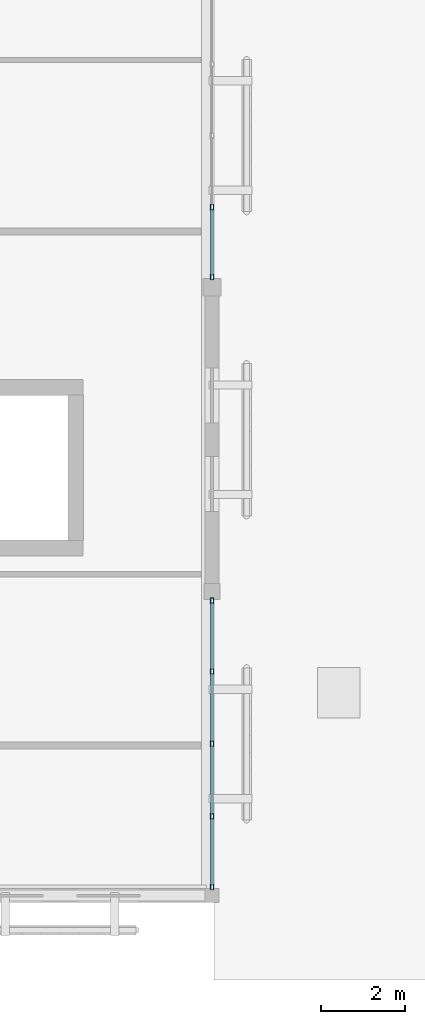
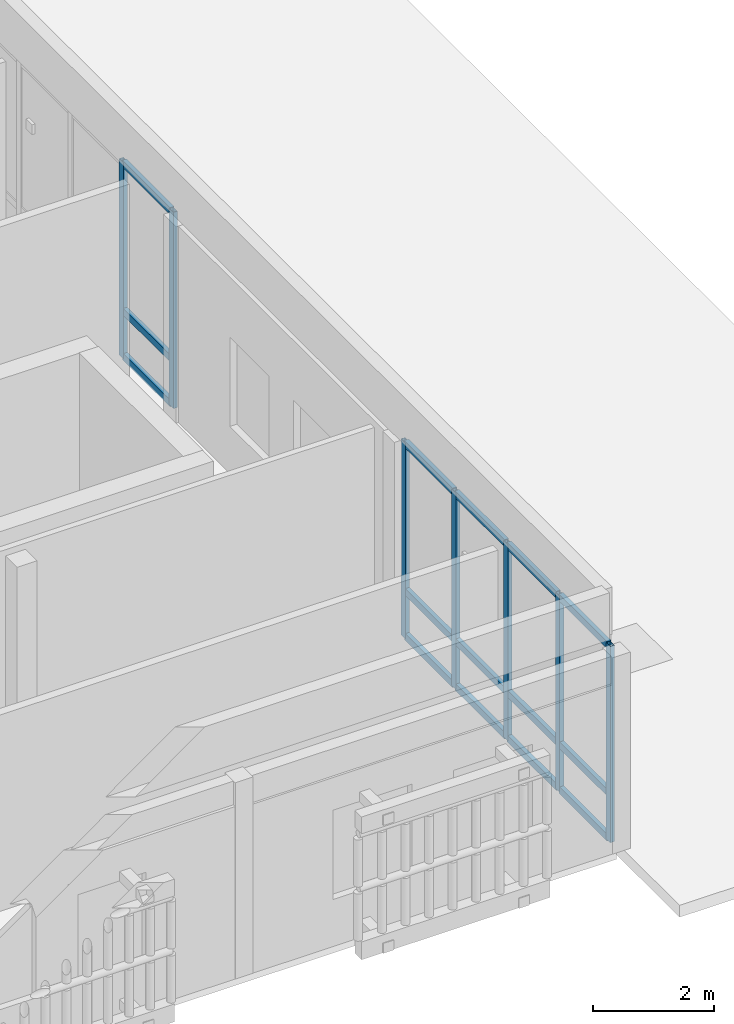
# One storey, part 2 of 11: 22 members, 2 elements without a shape of their own.
"""IFC4 building model written with IfcOpenShell, lengths in metres."""

from ifc_helpers import new_model, si_unit, direction, frame, origin, origin_2d, place, context, subcontext, project, spatial, hollow_rectangle, extrude, material, layer, layer_set, material_profile, profile_set, type_object, element, aggregate, save


model = new_model("IFC4")

# Units and contexts
model_context = context("Model", 3, precision=1e-05, world=origin(), true_north=direction((0.0, 1.0)))
body_context = subcontext(model_context, "Body", "Model", "MODEL_VIEW")
ifc_project = project(units=[si_unit("LENGTHUNIT", "METRE"), si_unit("AREAUNIT", "SQUARE_METRE"), si_unit("VOLUMEUNIT", "CUBIC_METRE"), si_unit("PLANEANGLEUNIT", "RADIAN"), si_unit("MASSUNIT", "GRAM", prefix="KILO")], contexts=[model_context])

# Site, building, storey
site_placement = place(None, origin())
site = spatial("IfcSite", under=ifc_project, at=site_placement, CompositionType="ELEMENT")
building_placement = place(site_placement, origin())
building = spatial("IfcBuilding", under=site, at=building_placement, Name="Mazaris Harbour Polytechnic", CompositionType="ELEMENT")
storey_placement = place(building_placement, frame((0.0, 0.0, 22.199951171875)))
storey = spatial("IfcBuildingStorey", under=building, at=storey_placement, Name="L05", CompositionType="ELEMENT", Elevation=22.199951171875)

# Curtain wall, members
ifc_material_1 = material(Name="Anodised Bronze Aluminium and Low-E Glass", Category="aluminium")
ifc_layer = layer(ifc_material_1, 0.159912109375, Name="Anodised Bronze Aluminium and Low-E Glass")
ifc_layer_set = layer_set([ifc_layer], Name="Anodised Bronze Aluminium and Low-E Glass")
curtain_wall_type = type_object("IfcCurtainWallType", Name="Cloister Court Curtain Wall", PredefinedType="NOTDEFINED", material=ifc_layer_set)
curtain_wall_1_placement = place(storey_placement, origin())
curtain_wall_1 = element("IfcCurtainWall", 1, at=curtain_wall_1_placement, inside=storey, type_object=curtain_wall_type, Name="V4 L05 Curtain Wall 179", PredefinedType="NOTDEFINED")
ifc_material_2 = material(Name="Anodised Bronze Steel S355", Category="steel")
ifc_material_profile_1 = material_profile(ifc_material_2, hollow_rectangle(XDim=0.080078125, YDim=0.139892578125, WallThickness=0.00634765625, at=origin_2d()), Name="RHS 80x140x6.3")
ifc_profile_set_1 = profile_set([ifc_material_profile_1], Name="Anodised Bronze Steel S355")
member_type_1 = type_object("IfcMemberType", Name="Curtain Mullion RHS80x140", PredefinedType="MULLION", material=ifc_profile_set_1)
member_1_placement = place(storey_placement, frame((36.0, 14.177978515625, 0.0), z_axis=(0.0, 0.0, 1.0), x_axis=(1.0, 0.0, 0.0)))
member_1 = element("IfcMember", 2, at=member_1_placement, type_object=member_type_1, Name="CW-02 mullion 1", PredefinedType="MULLION", context=body_context, shape_type="SweptSolid", body=[
    extrude(hollow_rectangle(XDim=0.080078125, YDim=0.139892578125, WallThickness=0.00634765625, at=origin_2d()), origin(), (0.0, 0.0, 1.0), 3.9599609375),
])
member_2_placement = place(storey_placement, frame((36.0, 12.50390625, 0.0), z_axis=(0.0, 0.0, 1.0), x_axis=(1.0, 0.0, 0.0)))
member_2 = element("IfcMember", 3, at=member_2_placement, type_object=member_type_1, Name="CW-02 mullion 2", PredefinedType="MULLION", context=body_context, shape_type="SweptSolid", body=[
    extrude(hollow_rectangle(XDim=0.080078125, YDim=0.139892578125, WallThickness=0.00634765625, at=origin_2d()), origin(), (0.0, 0.0, 1.0), 3.9599609375),
])
member_3_placement = place(storey_placement, frame((36.0, 10.7900390625, 0.0), z_axis=(0.0, 0.0, 1.0), x_axis=(1.0, 0.0, 0.0)))
member_3 = element("IfcMember", 4, at=member_3_placement, type_object=member_type_1, Name="CW-02 mullion 3", PredefinedType="MULLION", context=body_context, shape_type="SweptSolid", body=[
    extrude(hollow_rectangle(XDim=0.080078125, YDim=0.139892578125, WallThickness=0.00634765625, at=origin_2d()), origin(), (0.0, 0.0, 1.0), 3.9599609375),
])
member_4_placement = place(storey_placement, frame((36.0, 9.075927734375, 0.0), z_axis=(0.0, 0.0, 1.0), x_axis=(1.0, 0.0, 0.0)))
member_4 = element("IfcMember", 5, at=member_4_placement, type_object=member_type_1, Name="CW-02 mullion 4", PredefinedType="MULLION", context=body_context, shape_type="SweptSolid", body=[
    extrude(hollow_rectangle(XDim=0.080078125, YDim=0.139892578125, WallThickness=0.00634765625, at=origin_2d()), origin(), (0.0, 0.0, 1.0), 3.9599609375),
])
member_5_placement = place(storey_placement, frame((36.0, 7.402099609375, 0.0), z_axis=(0.0, 0.0, 1.0), x_axis=(1.0, 0.0, 0.0)))
member_5 = element("IfcMember", 6, at=member_5_placement, type_object=member_type_1, Name="CW-02 mullion 5", PredefinedType="MULLION", context=body_context, shape_type="SweptSolid", body=[
    extrude(hollow_rectangle(XDim=0.080078125, YDim=0.139892578125, WallThickness=0.00634765625, at=origin_2d()), origin(), (0.0, 0.0, 1.0), 3.9599609375),
])

curtain_wall_2_placement = place(storey_placement, origin())
curtain_wall_2 = element("IfcCurtainWall", 7, at=curtain_wall_2_placement, inside=storey, type_object=curtain_wall_type, Name="V4 L05 Curtain Wall 180", PredefinedType="NOTDEFINED")
member_6_placement = place(storey_placement, frame((36.0, 23.49609375, 0.0), z_axis=(0.0, 0.0, 1.0), x_axis=(1.0, 0.0, 0.0)))
member_6 = element("IfcMember", 8, at=member_6_placement, type_object=member_type_1, Name="CW-02 mullion 4", PredefinedType="MULLION", context=body_context, shape_type="SweptSolid", body=[
    extrude(hollow_rectangle(XDim=0.080078125, YDim=0.139892578125, WallThickness=0.00634765625, at=origin_2d()), origin(), (0.0, 0.0, 1.0), 3.9599609375),
])
member_7_placement = place(storey_placement, frame((36.0, 21.842041015625, 0.0), z_axis=(0.0, 0.0, 1.0), x_axis=(1.0, 0.0, 0.0)))
member_7 = element("IfcMember", 9, at=member_7_placement, type_object=member_type_1, Name="CW-02 mullion 5", PredefinedType="MULLION", context=body_context, shape_type="SweptSolid", body=[
    extrude(hollow_rectangle(XDim=0.080078125, YDim=0.139892578125, WallThickness=0.00634765625, at=origin_2d()), origin(), (0.0, 0.0, 1.0), 3.9599609375),
])

# Member
ifc_material_3 = material(Name="Anodised Bronze Steel S355", Category="steel")
ifc_material_profile_2 = material_profile(ifc_material_3, hollow_rectangle(XDim=0.080078125, YDim=0.139892578125, WallThickness=0.00634765625, at=origin_2d()), Name="RHS 80x140x6.3")
ifc_profile_set_2 = profile_set([ifc_material_profile_2], Name="Anodised Bronze Steel S355")
member_type_2 = type_object("IfcMemberType", Name="Curtain Transom RHS80x140", PredefinedType="USERDEFINED", material=ifc_profile_set_2)
member_8_placement = place(storey_placement, frame((36.0, 14.137939453125, 0.0400390625), z_axis=(0.0, -1.0, 0.0), x_axis=(1.0, 0.0, 0.0)))
member_8 = element("IfcMember", 10, at=member_8_placement, type_object=member_type_2, Name="CW-02 transom 1.1", ObjectType="TRANSOM", PredefinedType="USERDEFINED", context=body_context, shape_type="SweptSolid", body=[
    extrude(hollow_rectangle(XDim=0.080078125, YDim=0.139892578125, WallThickness=0.00634765625, at=origin_2d()), origin(), (0.0, 0.0, 1.0), 1.593994140625),
])

member_9_placement = place(storey_placement, frame((36.0, 14.137939453125, 0.949951171875), z_axis=(0.0, -1.0, 0.0), x_axis=(1.0, 0.0, 0.0)))
member_9 = element("IfcMember", 11, at=member_9_placement, type_object=member_type_2, Name="CW-02 transom 1.2", ObjectType="TRANSOM", PredefinedType="USERDEFINED", context=body_context, shape_type="SweptSolid", body=[
    extrude(hollow_rectangle(XDim=0.080078125, YDim=0.139892578125, WallThickness=0.00634765625, at=origin_2d()), origin(), (0.0, 0.0, 1.0), 1.593994140625),
])

member_10_placement = place(storey_placement, frame((36.0, 14.137939453125, 3.920166015625), z_axis=(0.0, -1.0, 0.0), x_axis=(1.0, 0.0, 0.0)))
member_10 = element("IfcMember", 12, at=member_10_placement, type_object=member_type_2, Name="CW-02 transom 1.3", ObjectType="TRANSOM", PredefinedType="USERDEFINED", context=body_context, shape_type="SweptSolid", body=[
    extrude(hollow_rectangle(XDim=0.080078125, YDim=0.139892578125, WallThickness=0.00634765625, at=origin_2d()), origin(), (0.0, 0.0, 1.0), 1.593994140625),
])

member_11_placement = place(storey_placement, frame((36.0, 12.464111328125, 0.0400390625), z_axis=(0.0, -1.0, 0.0), x_axis=(1.0, 0.0, 0.0)))
member_11 = element("IfcMember", 13, at=member_11_placement, type_object=member_type_2, Name="CW-02 transom 2.1", ObjectType="TRANSOM", PredefinedType="USERDEFINED", context=body_context, shape_type="SweptSolid", body=[
    extrude(hollow_rectangle(XDim=0.080078125, YDim=0.139892578125, WallThickness=0.00634765625, at=origin_2d()), origin(), (0.0, 0.0, 1.0), 1.634033203125),
])

member_12_placement = place(storey_placement, frame((36.0, 12.464111328125, 0.949951171875), z_axis=(0.0, -1.0, 0.0), x_axis=(1.0, 0.0, 0.0)))
member_12 = element("IfcMember", 14, at=member_12_placement, type_object=member_type_2, Name="CW-02 transom 2.2", ObjectType="TRANSOM", PredefinedType="USERDEFINED", context=body_context, shape_type="SweptSolid", body=[
    extrude(hollow_rectangle(XDim=0.080078125, YDim=0.139892578125, WallThickness=0.00634765625, at=origin_2d()), origin(), (0.0, 0.0, 1.0), 1.634033203125),
])

member_13_placement = place(storey_placement, frame((36.0, 12.464111328125, 3.920166015625), z_axis=(0.0, -1.0, 0.0), x_axis=(1.0, 0.0, 0.0)))
member_13 = element("IfcMember", 15, at=member_13_placement, type_object=member_type_2, Name="CW-02 transom 2.3", ObjectType="TRANSOM", PredefinedType="USERDEFINED", context=body_context, shape_type="SweptSolid", body=[
    extrude(hollow_rectangle(XDim=0.080078125, YDim=0.139892578125, WallThickness=0.00634765625, at=origin_2d()), origin(), (0.0, 0.0, 1.0), 1.634033203125),
])

member_14_placement = place(storey_placement, frame((36.0, 10.75, 0.0400390625), z_axis=(0.0, -1.0, 0.0), x_axis=(1.0, 0.0, 0.0)))
member_14 = element("IfcMember", 16, at=member_14_placement, type_object=member_type_2, Name="CW-02 transom 3.1", ObjectType="TRANSOM", PredefinedType="USERDEFINED", context=body_context, shape_type="SweptSolid", body=[
    extrude(hollow_rectangle(XDim=0.080078125, YDim=0.139892578125, WallThickness=0.00634765625, at=origin_2d()), origin(), (0.0, 0.0, 1.0), 1.634033203125),
])

member_15_placement = place(storey_placement, frame((36.0, 10.75, 0.949951171875), z_axis=(0.0, -1.0, 0.0), x_axis=(1.0, 0.0, 0.0)))
member_15 = element("IfcMember", 17, at=member_15_placement, type_object=member_type_2, Name="CW-02 transom 3.2", ObjectType="TRANSOM", PredefinedType="USERDEFINED", context=body_context, shape_type="SweptSolid", body=[
    extrude(hollow_rectangle(XDim=0.080078125, YDim=0.139892578125, WallThickness=0.00634765625, at=origin_2d()), origin(), (0.0, 0.0, 1.0), 1.634033203125),
])

member_16_placement = place(storey_placement, frame((36.0, 10.75, 3.920166015625), z_axis=(0.0, -1.0, 0.0), x_axis=(1.0, 0.0, 0.0)))
member_16 = element("IfcMember", 18, at=member_16_placement, type_object=member_type_2, Name="CW-02 transom 3.3", ObjectType="TRANSOM", PredefinedType="USERDEFINED", context=body_context, shape_type="SweptSolid", body=[
    extrude(hollow_rectangle(XDim=0.080078125, YDim=0.139892578125, WallThickness=0.00634765625, at=origin_2d()), origin(), (0.0, 0.0, 1.0), 1.634033203125),
])

member_17_placement = place(storey_placement, frame((36.0, 9.035888671875, 0.0400390625), z_axis=(0.0, -1.0, 0.0), x_axis=(1.0, 0.0, 0.0)))
member_17 = element("IfcMember", 19, at=member_17_placement, type_object=member_type_2, Name="CW-02 transom 4.1", ObjectType="TRANSOM", PredefinedType="USERDEFINED", context=body_context, shape_type="SweptSolid", body=[
    extrude(hollow_rectangle(XDim=0.080078125, YDim=0.139892578125, WallThickness=0.00634765625, at=origin_2d()), origin(), (0.0, 0.0, 1.0), 1.593994140625),
])

member_18_placement = place(storey_placement, frame((36.0, 9.035888671875, 0.949951171875), z_axis=(0.0, -1.0, 0.0), x_axis=(1.0, 0.0, 0.0)))
member_18 = element("IfcMember", 20, at=member_18_placement, type_object=member_type_2, Name="CW-02 transom 4.2", ObjectType="TRANSOM", PredefinedType="USERDEFINED", context=body_context, shape_type="SweptSolid", body=[
    extrude(hollow_rectangle(XDim=0.080078125, YDim=0.139892578125, WallThickness=0.00634765625, at=origin_2d()), origin(), (0.0, 0.0, 1.0), 1.593994140625),
])

member_19_placement = place(storey_placement, frame((36.0, 9.035888671875, 3.920166015625), z_axis=(0.0, -1.0, 0.0), x_axis=(1.0, 0.0, 0.0)))
member_19 = element("IfcMember", 21, at=member_19_placement, type_object=member_type_2, Name="CW-02 transom 4.3", ObjectType="TRANSOM", PredefinedType="USERDEFINED", context=body_context, shape_type="SweptSolid", body=[
    extrude(hollow_rectangle(XDim=0.080078125, YDim=0.139892578125, WallThickness=0.00634765625, at=origin_2d()), origin(), (0.0, 0.0, 1.0), 1.593994140625),
])

aggregate(curtain_wall_1, [member_1, member_2, member_3, member_4, member_5, member_8, member_9, member_10, member_11, member_12, member_13, member_14, member_15, member_16, member_17, member_18, member_19])

member_20_placement = place(storey_placement, frame((36.0, 23.4560546875, 0.0400390625), z_axis=(0.0, -1.0, 0.0), x_axis=(1.0, 0.0, 0.0)))
member_20 = element("IfcMember", 22, at=member_20_placement, type_object=member_type_2, Name="CW-02 transom 4.1", ObjectType="TRANSOM", PredefinedType="USERDEFINED", context=body_context, shape_type="SweptSolid", body=[
    extrude(hollow_rectangle(XDim=0.080078125, YDim=0.139892578125, WallThickness=0.00634765625, at=origin_2d()), origin(), (0.0, 0.0, 1.0), 1.573974609375),
])

member_21_placement = place(storey_placement, frame((36.0, 23.4560546875, 0.949951171875), z_axis=(0.0, -1.0, 0.0), x_axis=(1.0, 0.0, 0.0)))
member_21 = element("IfcMember", 23, at=member_21_placement, type_object=member_type_2, Name="CW-02 transom 4.2", ObjectType="TRANSOM", PredefinedType="USERDEFINED", context=body_context, shape_type="SweptSolid", body=[
    extrude(hollow_rectangle(XDim=0.080078125, YDim=0.139892578125, WallThickness=0.00634765625, at=origin_2d()), origin(), (0.0, 0.0, 1.0), 1.573974609375),
])

member_22_placement = place(storey_placement, frame((36.0, 23.4560546875, 3.920166015625), z_axis=(0.0, -1.0, 0.0), x_axis=(1.0, 0.0, 0.0)))
member_22 = element("IfcMember", 24, at=member_22_placement, type_object=member_type_2, Name="CW-02 transom 4.3", ObjectType="TRANSOM", PredefinedType="USERDEFINED", context=body_context, shape_type="SweptSolid", body=[
    extrude(hollow_rectangle(XDim=0.080078125, YDim=0.139892578125, WallThickness=0.00634765625, at=origin_2d()), origin(), (0.0, 0.0, 1.0), 1.573974609375),
])

aggregate(curtain_wall_2, [member_6, member_7, member_20, member_21, member_22])

save(model, "model.ifc")
